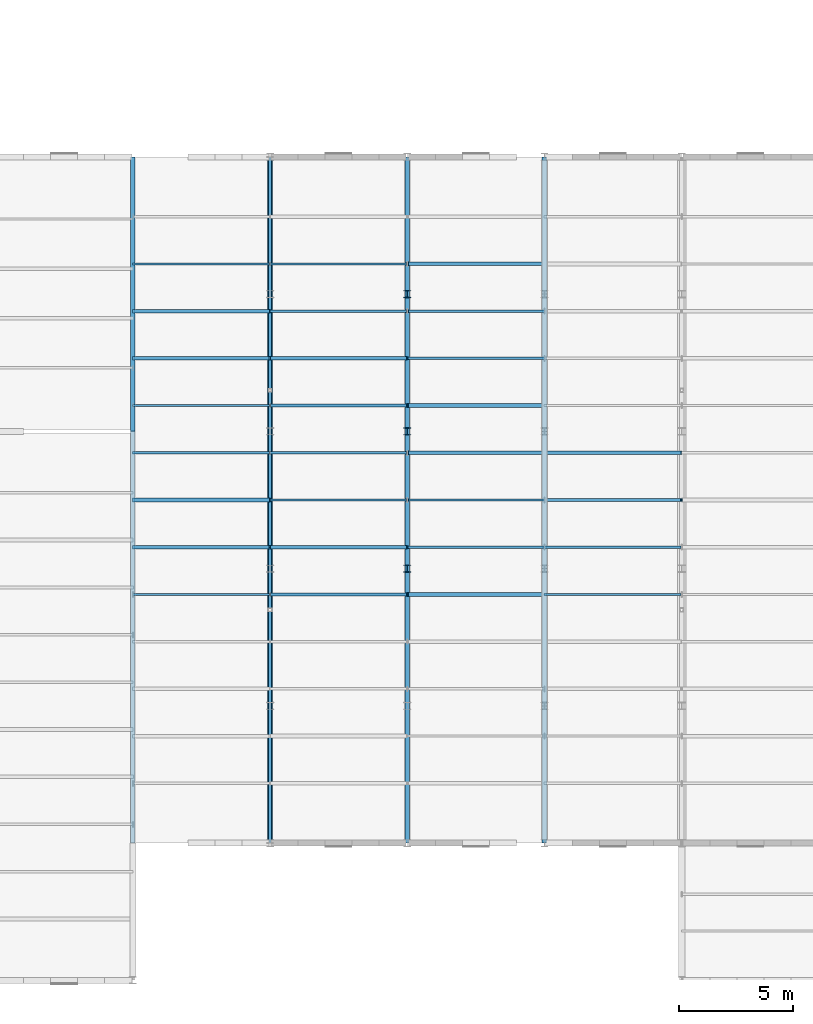
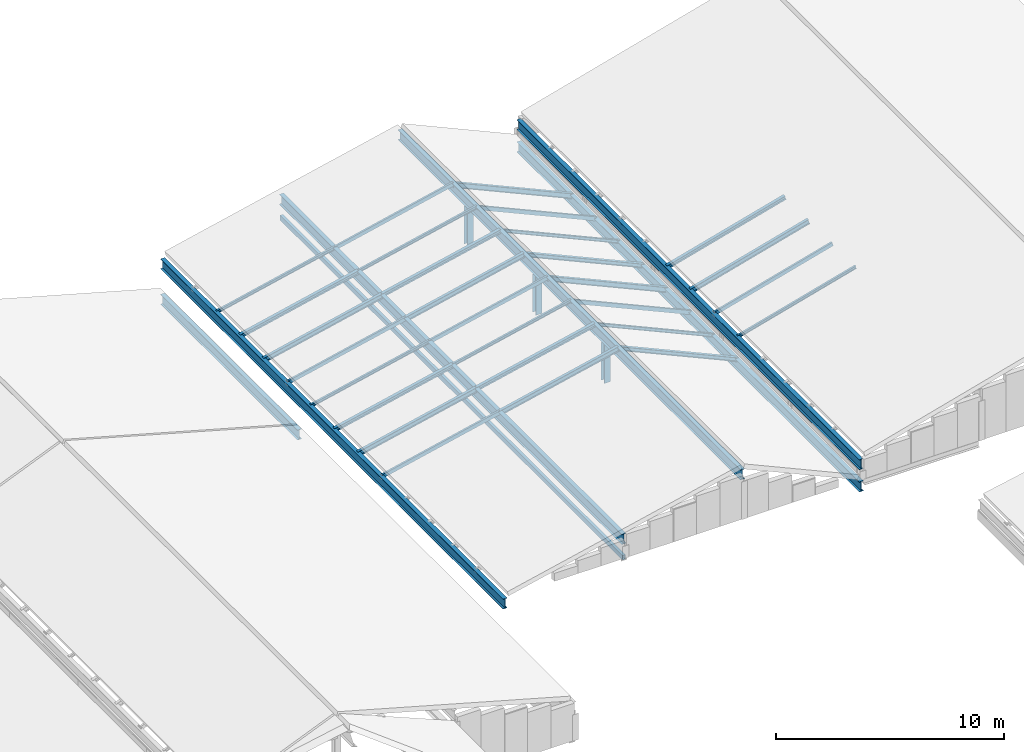
# One storey, part 11 of 74: 32 members, 6 beams.
"""IFC4 building model written with IfcOpenShell, lengths in metres."""

from ifc_helpers import new_model, si_unit, direction, frame, origin, origin_2d, place, context, subcontext, project, spatial, hollow_rectangle, i_section, extrude, material, material_profile, profile_set, type_object, element, save


model = new_model("IFC4")

# Units and contexts
model_context = context("Model", 3, precision=1e-05, world=origin(), true_north=direction((0.0, 1.0)))
body_context = subcontext(model_context, "Body", "Model", "MODEL_VIEW")
ifc_project = project(units=[si_unit("LENGTHUNIT", "METRE"), si_unit("AREAUNIT", "SQUARE_METRE"), si_unit("VOLUMEUNIT", "CUBIC_METRE"), si_unit("PLANEANGLEUNIT", "RADIAN"), si_unit("MASSUNIT", "GRAM", prefix="KILO")], contexts=[model_context])

# Site, building, storey
site_placement = place(None, origin())
site = spatial("IfcSite", under=ifc_project, at=site_placement, CompositionType="ELEMENT")
building_placement = place(site_placement, origin())
building = spatial("IfcBuilding", under=site, at=building_placement, Name="Siltcreek Boulevard Central Fire Station", CompositionType="ELEMENT")
storey_placement = place(building_placement, frame((0.0, 0.0, 25.199951171875)))
storey = spatial("IfcBuildingStorey", under=building, at=storey_placement, Name="RF", CompositionType="ELEMENT", Elevation=25.199951171875)

# Beams
ifc_material_1 = material(Name="Structural steel ASTM A992 Gr50", Category="steel")
ifc_material_profile_1 = material_profile(ifc_material_1, i_section(OverallWidth=0.2109375, OverallDepth=0.5390625, WebThickness=0.01171875, FlangeThickness=0.018798828125, at=origin_2d()), Name="W530X109")
ifc_profile_set_1 = profile_set([ifc_material_profile_1], Name="Structural steel ASTM A992 Gr50")
beam_type = type_object("IfcBeamType", Name="BM_W530X109", PredefinedType="BEAM", material=ifc_profile_set_1)
beam_placement = place(storey_placement, frame((66.0, 42.010009765625, -13.51123046875), z_axis=(0.0, 1.0, 0.0), x_axis=(-1.0, 0.0, 0.0)))
element("IfcBeam", 1, at=beam_placement, inside=storey, type_object=beam_type, Name="Pitched roof rafter beam RFB-017", PredefinedType="BEAM", context=body_context, shape_type="SweptSolid", body=[
    extrude(i_section(OverallWidth=0.2109375, OverallDepth=0.5390625, WebThickness=0.01171875, FlangeThickness=0.018798828125, at=origin_2d()), origin(), (0.0, 0.0, 1.0), 11.97998046875),
])
for number, where, z_axis, x_axis, name in (
    (2, (66.0, 24.010009765625, -11.6220703125), (0.0, 1.0, 0.0), (-1.0, 0.0, 0.0), "Pitched roof rafter beam RFB-018"),
    (3, (72.0, 24.010009765625, -10.27197265625), (0.0, 1.0, 0.0), (-1.0, 0.0, 0.0), "Pitched roof rafter beam RFB-019"),
    (4, (78.0, 24.010009765625, -8.921875), (0.0, 1.0, 0.0), (-1.0, 0.0, 0.0), "Pitched roof rafter beam RFB-020"),
    (5, (84.0, 24.010009765625, -11.66796875), (0.0, 1.0, 0.0), (-1.0, 0.0, 0.0), "Pitched roof rafter beam RFB-021"),
    (6, (84.0, 24.010009765625, -10.481201171875), (0.0, 1.0, 0.0), (-1.0, 0.0, 0.0), "Pitched roof rafter beam RFB-022"),
):
    element("IfcBeam", number, at=place(storey_placement, frame(where, z_axis=z_axis, x_axis=x_axis)), inside=storey, type_object=beam_type, Name=name, PredefinedType="BEAM", context=body_context, shape_type="SweptSolid", body=[
        extrude(i_section(OverallWidth=0.2109375, OverallDepth=0.5390625, WebThickness=0.01171875, FlangeThickness=0.018798828125, at=origin_2d()), origin(), (0.0, 0.0, 1.0), 29.97998046875),
    ])

# Members
ifc_material_2 = material(Name="Structural steel ASTM A500 GrC", Category="steel")
ifc_material_profile_2 = material_profile(ifc_material_2, hollow_rectangle(XDim=0.14990234375, YDim=0.25, WallThickness=0.008056640625, at=origin_2d()), Name="HSS250X150X8.0")
ifc_profile_set_2 = profile_set([ifc_material_profile_2], Name="Structural steel ASTM A500 GrC")
member_type_1 = type_object("IfcMemberType", Name="CH_HSS250X150", PredefinedType="CHORD", material=ifc_profile_set_2)
member_1_placement = place(storey_placement, frame((72.0, 24.010009765625, -11.261474609375), z_axis=(0.0, 1.0, 0.0), x_axis=(-1.0, 0.0, 0.0)))
element("IfcMember", 7, at=member_1_placement, inside=storey, type_object=member_type_1, Name="Roof truss bottom chord CH-002", PredefinedType="CHORD", context=body_context, shape_type="SweptSolid", body=[
    extrude(hollow_rectangle(XDim=0.14990234375, YDim=0.25, WallThickness=0.008056640625, at=origin_2d()), origin(), (0.0, 0.0, 1.0), 29.97998046875),
])
ifc_material_profile_3 = material_profile(ifc_material_1, i_section(OverallWidth=0.304931640625, OverallDepth=0.30810546875, WebThickness=0.010009765625, FlangeThickness=0.015380859375, at=origin_2d()), Name="W310X97")
ifc_profile_set_3 = profile_set([ifc_material_profile_3], Name="Structural steel ASTM A992 Gr50")
member_type_2 = type_object("IfcMemberType", Name="CH_W310X97", PredefinedType="CHORD", material=ifc_profile_set_3)
for number, where, z_axis, x_axis, name in (
    (8, (78.0, 36.0, -11.199951171875), (0.0, 0.0, 1.0), (1.0, 0.0, 0.0), "Roof bearing truss post 0727"),
    (9, (78.0, 42.0, -11.199951171875), (0.0, 0.0, 1.0), (1.0, 0.0, 0.0), "Roof bearing truss post 0728"),
    (10, (78.0, 48.0, -11.199951171875), (0.0, 0.0, 1.0), (1.0, 0.0, 0.0), "Roof bearing truss post 0729"),
):
    element("IfcMember", number, at=place(storey_placement, frame(where, z_axis=z_axis, x_axis=x_axis)), inside=storey, type_object=member_type_2, Name=name, PredefinedType="CHORD", context=body_context, shape_type="SweptSolid", body=[
        extrude(i_section(OverallWidth=0.304931640625, OverallDepth=0.30810546875, WebThickness=0.010009765625, FlangeThickness=0.015380859375, at=origin_2d()), origin(), (0.0, 0.0, 1.0), 2.012451171875),
    ])
ifc_material_profile_4 = material_profile(ifc_material_2, hollow_rectangle(XDim=0.10009765625, YDim=0.199951171875, WallThickness=0.00634765625, at=origin_2d()), Name="HSS200X100X6.4")
ifc_profile_set_4 = profile_set([ifc_material_profile_4], Name="Structural steel ASTM A500 GrC")
member_type_3 = type_object("IfcMemberType", Name="PR_HSS200X100", PredefinedType="PURLIN", material=ifc_profile_set_4)
for number, where, z_axis, x_axis, name in (
    (11, (66.010009765625, 34.871337890625, -11.42041015625), (0.975611035589, 0.0, 0.219506508416), (0.0, 1.0, 0.0), "Sloped roof purlin PR-0079"),
    (12, (66.010009765625, 43.128662109375, -11.42041015625), (0.975611035589, 0.0, 0.219506508416), (0.0, 1.0, 0.0), "Sloped roof purlin PR-0083"),
):
    element("IfcMember", number, at=place(storey_placement, frame(where, z_axis=z_axis, x_axis=x_axis)), inside=storey, type_object=member_type_3, Name=name, PredefinedType="PURLIN", context=body_context, shape_type="SweptSolid", body=[
        extrude(hollow_rectangle(XDim=0.10009765625, YDim=0.199951171875, WallThickness=0.00634765625, at=origin_2d()), origin(), (0.0, 0.0, 1.0), 6.12939453125),
    ])
for number, where, z_axis, x_axis, name in (
    (13, (72.010009765625, 41.064208984375, -10.070556640625), (0.975602505083, 0.0, 0.219544419369), (0.0, 1.0, 0.0), "Sloped roof purlin PR-0095"),
    (14, (72.010009765625, 49.3212890625, -10.070556640625), (0.975602505083, 0.0, 0.219544419369), (0.0, 1.0, 0.0), "Sloped roof purlin PR-0099"),
):
    element("IfcMember", number, at=place(storey_placement, frame(where, z_axis=z_axis, x_axis=x_axis)), inside=storey, type_object=member_type_3, Name=name, PredefinedType="PURLIN", context=body_context, shape_type="SweptSolid", body=[
        extrude(hollow_rectangle(XDim=0.10009765625, YDim=0.199951171875, WallThickness=0.00634765625, at=origin_2d()), origin(), (0.0, 0.0, 1.0), 6.129638671875),
    ])
for number, where, z_axis, x_axis, name in (
    (15, (78.010009765625, 39.0, -8.752197265625), (0.911911752359, 0.0, -0.410386349565), (0.0, 1.0, 0.0), "Sloped roof purlin PR-0107"),
    (16, (78.010009765625, 47.257080078125, -8.752197265625), (0.911911752359, 0.0, -0.410386349565), (0.0, 1.0, 0.0), "Sloped roof purlin PR-0111"),
):
    element("IfcMember", number, at=place(storey_placement, frame(where, z_axis=z_axis, x_axis=x_axis)), inside=storey, type_object=member_type_3, Name=name, PredefinedType="PURLIN", context=body_context, shape_type="SweptSolid", body=[
        extrude(hollow_rectangle(XDim=0.10009765625, YDim=0.199951171875, WallThickness=0.00634765625, at=origin_2d()), origin(), (0.0, 0.0, 1.0), 6.5576171875),
    ])
member_2_placement = place(storey_placement, frame((84.010009765625, 36.935791015625, -10.274169921875), z_axis=(0.964203883152, 0.0, 0.265161972602), x_axis=(0.0, 1.0, 0.0)))
element("IfcMember", 17, at=member_2_placement, inside=storey, type_object=member_type_3, Name="Sloped roof purlin PR-0119", PredefinedType="PURLIN", context=body_context, shape_type="SweptSolid", body=[
    extrude(hollow_rectangle(XDim=0.10009765625, YDim=0.199951171875, WallThickness=0.00634765625, at=origin_2d()), origin(), (0.0, 0.0, 1.0), 6.201904296875),
])
ifc_material_profile_5 = material_profile(ifc_material_1, i_section(OverallWidth=0.10205078125, OverallDepth=0.159912109375, WebThickness=0.006591796875, FlangeThickness=0.01025390625, at=origin_2d()), Name="W150X24")
ifc_profile_set_5 = profile_set([ifc_material_profile_5], Name="Structural steel ASTM A992 Gr50")
member_type_4 = type_object("IfcMemberType", Name="PR_W150X24", PredefinedType="PURLIN", material=ifc_profile_set_5)
for number, where, z_axis, x_axis, name in (
    (18, (66.010009765625, 41.064208984375, -11.39990234375), (0.975611035589, 0.0, 0.219506508416), (0.0, 1.0, 0.0), "Sloped roof purlin PR-0082"),
    (19, (66.010009765625, 49.3212890625, -11.39990234375), (0.975611035589, 0.0, 0.219506508416), (0.0, 1.0, 0.0), "Sloped roof purlin PR-0086"),
):
    element("IfcMember", number, at=place(storey_placement, frame(where, z_axis=z_axis, x_axis=x_axis)), inside=storey, type_object=member_type_4, Name=name, PredefinedType="PURLIN", context=body_context, shape_type="SweptSolid", body=[
        extrude(i_section(OverallWidth=0.10205078125, OverallDepth=0.159912109375, WebThickness=0.006591796875, FlangeThickness=0.01025390625, at=origin_2d()), origin(), (0.0, 0.0, 1.0), 6.12939453125),
    ])
for number, where, z_axis, x_axis, name in (
    (20, (72.010009765625, 39.0, -10.050048828125), (0.975602505083, 0.0, 0.219544419369), (0.0, 1.0, 0.0), "Sloped roof purlin PR-0094"),
    (21, (72.010009765625, 47.257080078125, -10.050048828125), (0.975602505083, 0.0, 0.219544419369), (0.0, 1.0, 0.0), "Sloped roof purlin PR-0098"),
):
    element("IfcMember", number, at=place(storey_placement, frame(where, z_axis=z_axis, x_axis=x_axis)), inside=storey, type_object=member_type_4, Name=name, PredefinedType="PURLIN", context=body_context, shape_type="SweptSolid", body=[
        extrude(i_section(OverallWidth=0.10205078125, OverallDepth=0.159912109375, WebThickness=0.006591796875, FlangeThickness=0.01025390625, at=origin_2d()), origin(), (0.0, 0.0, 1.0), 6.129638671875),
    ])
for number, where, z_axis, x_axis, name in (
    (22, (78.010009765625, 36.935791015625, -8.730224609375), (0.911911752359, 0.0, -0.410386349565), (0.0, 1.0, 0.0), "Sloped roof purlin PR-0106"),
    (23, (78.010009765625, 45.19287109375, -8.730224609375), (0.911911752359, 0.0, -0.410386349565), (0.0, 1.0, 0.0), "Sloped roof purlin PR-0110"),
):
    element("IfcMember", number, at=place(storey_placement, frame(where, z_axis=z_axis, x_axis=x_axis)), inside=storey, type_object=member_type_4, Name=name, PredefinedType="PURLIN", context=body_context, shape_type="SweptSolid", body=[
        extrude(i_section(OverallWidth=0.10205078125, OverallDepth=0.159912109375, WebThickness=0.006591796875, FlangeThickness=0.01025390625, at=origin_2d()), origin(), (0.0, 0.0, 1.0), 6.5576171875),
    ])
member_3_placement = place(storey_placement, frame((84.010009765625, 34.871337890625, -10.25341796875), z_axis=(0.964203883152, 0.0, 0.265161972602), x_axis=(0.0, 1.0, 0.0)))
element("IfcMember", 24, at=member_3_placement, inside=storey, type_object=member_type_4, Name="Sloped roof purlin PR-0118", PredefinedType="PURLIN", context=body_context, shape_type="SweptSolid", body=[
    extrude(i_section(OverallWidth=0.10205078125, OverallDepth=0.159912109375, WebThickness=0.006591796875, FlangeThickness=0.01025390625, at=origin_2d()), origin(), (0.0, 0.0, 1.0), 6.201904296875),
])
ifc_material_profile_6 = material_profile(ifc_material_1, i_section(OverallWidth=0.1650390625, OverallDepth=0.200927734375, WebThickness=0.006103515625, FlangeThickness=0.01025390625, at=origin_2d()), Name="W200X36")
ifc_profile_set_6 = profile_set([ifc_material_profile_6], Name="Structural steel ASTM A992 Gr50")
member_type_5 = type_object("IfcMemberType", Name="PR_W200X36", PredefinedType="PURLIN", material=ifc_profile_set_6)
for number, where, z_axis, x_axis, name in (
    (25, (66.010009765625, 39.0, -11.4208984375), (0.975611035589, 0.0, 0.219506508416), (0.0, 1.0, 0.0), "Sloped roof purlin PR-0081"),
    (26, (66.010009765625, 47.257080078125, -11.4208984375), (0.975611035589, 0.0, 0.219506508416), (0.0, 1.0, 0.0), "Sloped roof purlin PR-0085"),
):
    element("IfcMember", number, at=place(storey_placement, frame(where, z_axis=z_axis, x_axis=x_axis)), inside=storey, type_object=member_type_5, Name=name, PredefinedType="PURLIN", context=body_context, shape_type="SweptSolid", body=[
        extrude(i_section(OverallWidth=0.1650390625, OverallDepth=0.200927734375, WebThickness=0.006103515625, FlangeThickness=0.01025390625, at=origin_2d()), origin(), (0.0, 0.0, 1.0), 6.12939453125),
    ])
for number, where, z_axis, x_axis, name in (
    (27, (72.010009765625, 36.935791015625, -10.071044921875), (0.975602505083, 0.0, 0.219544419369), (0.0, 1.0, 0.0), "Sloped roof purlin PR-0093"),
    (28, (72.010009765625, 45.19287109375, -10.071044921875), (0.975602505083, 0.0, 0.219544419369), (0.0, 1.0, 0.0), "Sloped roof purlin PR-0097"),
):
    element("IfcMember", number, at=place(storey_placement, frame(where, z_axis=z_axis, x_axis=x_axis)), inside=storey, type_object=member_type_5, Name=name, PredefinedType="PURLIN", context=body_context, shape_type="SweptSolid", body=[
        extrude(i_section(OverallWidth=0.1650390625, OverallDepth=0.200927734375, WebThickness=0.006103515625, FlangeThickness=0.01025390625, at=origin_2d()), origin(), (0.0, 0.0, 1.0), 6.129638671875),
    ])
for number, where, z_axis, x_axis, name in (
    (29, (78.010009765625, 34.871337890625, -8.752685546875), (0.911911752359, 0.0, -0.410386349565), (0.0, 1.0, 0.0), "Sloped roof purlin PR-0105"),
    (30, (78.010009765625, 43.128662109375, -8.752685546875), (0.911911752359, 0.0, -0.410386349565), (0.0, 1.0, 0.0), "Sloped roof purlin PR-0109"),
):
    element("IfcMember", number, at=place(storey_placement, frame(where, z_axis=z_axis, x_axis=x_axis)), inside=storey, type_object=member_type_5, Name=name, PredefinedType="PURLIN", context=body_context, shape_type="SweptSolid", body=[
        extrude(i_section(OverallWidth=0.1650390625, OverallDepth=0.200927734375, WebThickness=0.006103515625, FlangeThickness=0.01025390625, at=origin_2d()), origin(), (0.0, 0.0, 1.0), 6.5576171875),
    ])
member_4_placement = place(storey_placement, frame((84.010009765625, 41.064208984375, -10.274658203125), z_axis=(0.964203883152, 0.0, 0.265161972602), x_axis=(0.0, 1.0, 0.0)))
element("IfcMember", 31, at=member_4_placement, inside=storey, type_object=member_type_5, Name="Sloped roof purlin PR-0121", PredefinedType="PURLIN", context=body_context, shape_type="SweptSolid", body=[
    extrude(i_section(OverallWidth=0.1650390625, OverallDepth=0.200927734375, WebThickness=0.006103515625, FlangeThickness=0.01025390625, at=origin_2d()), origin(), (0.0, 0.0, 1.0), 6.201904296875),
])
ifc_material_profile_7 = material_profile(ifc_material_1, i_section(OverallWidth=0.14697265625, OverallDepth=0.261962890625, WebThickness=0.006591796875, FlangeThickness=0.01123046875, at=origin_2d()), Name="W250X39")
ifc_profile_set_7 = profile_set([ifc_material_profile_7], Name="Structural steel ASTM A992 Gr50")
member_type_6 = type_object("IfcMemberType", Name="PR_W250X39", PredefinedType="PURLIN", material=ifc_profile_set_7)
for number, where, z_axis, x_axis, name in (
    (32, (66.010009765625, 36.935791015625, -11.4521484375), (0.975611035589, 0.0, 0.219506508416), (0.0, 1.0, 0.0), "Sloped roof purlin PR-0080"),
    (33, (66.010009765625, 45.19287109375, -11.4521484375), (0.975611035589, 0.0, 0.219506508416), (0.0, 1.0, 0.0), "Sloped roof purlin PR-0084"),
    (34, (72.010009765625, 34.871337890625, -10.102294921875), (0.975611035589, 0.0, 0.219506508416), (0.0, 1.0, 0.0), "Sloped roof purlin PR-0092"),
    (35, (72.010009765625, 43.128662109375, -10.102294921875), (0.975611035589, 0.0, 0.219506508416), (0.0, 1.0, 0.0), "Sloped roof purlin PR-0096"),
):
    element("IfcMember", number, at=place(storey_placement, frame(where, z_axis=z_axis, x_axis=x_axis)), inside=storey, type_object=member_type_6, Name=name, PredefinedType="PURLIN", context=body_context, shape_type="SweptSolid", body=[
        extrude(i_section(OverallWidth=0.14697265625, OverallDepth=0.261962890625, WebThickness=0.006591796875, FlangeThickness=0.01123046875, at=origin_2d()), origin(), (0.0, 0.0, 1.0), 6.12939453125),
    ])
for number, where, z_axis, x_axis, name in (
    (36, (78.010009765625, 41.064208984375, -8.7861328125), (0.911911752359, 0.0, -0.410386349565), (0.0, 1.0, 0.0), "Sloped roof purlin PR-0108"),
    (37, (78.010009765625, 49.3212890625, -8.7861328125), (0.911911752359, 0.0, -0.410386349565), (0.0, 1.0, 0.0), "Sloped roof purlin PR-0112"),
):
    element("IfcMember", number, at=place(storey_placement, frame(where, z_axis=z_axis, x_axis=x_axis)), inside=storey, type_object=member_type_6, Name=name, PredefinedType="PURLIN", context=body_context, shape_type="SweptSolid", body=[
        extrude(i_section(OverallWidth=0.14697265625, OverallDepth=0.261962890625, WebThickness=0.006591796875, FlangeThickness=0.01123046875, at=origin_2d()), origin(), (0.0, 0.0, 1.0), 6.5576171875),
    ])
member_5_placement = place(storey_placement, frame((84.010009765625, 39.0, -10.306396484375), z_axis=(0.964203883152, 0.0, 0.265161972602), x_axis=(0.0, 1.0, 0.0)))
element("IfcMember", 38, at=member_5_placement, inside=storey, type_object=member_type_6, Name="Sloped roof purlin PR-0120", PredefinedType="PURLIN", context=body_context, shape_type="SweptSolid", body=[
    extrude(i_section(OverallWidth=0.14697265625, OverallDepth=0.261962890625, WebThickness=0.006591796875, FlangeThickness=0.01123046875, at=origin_2d()), origin(), (0.0, 0.0, 1.0), 6.201904296875),
])

save(model, "model.ifc")
